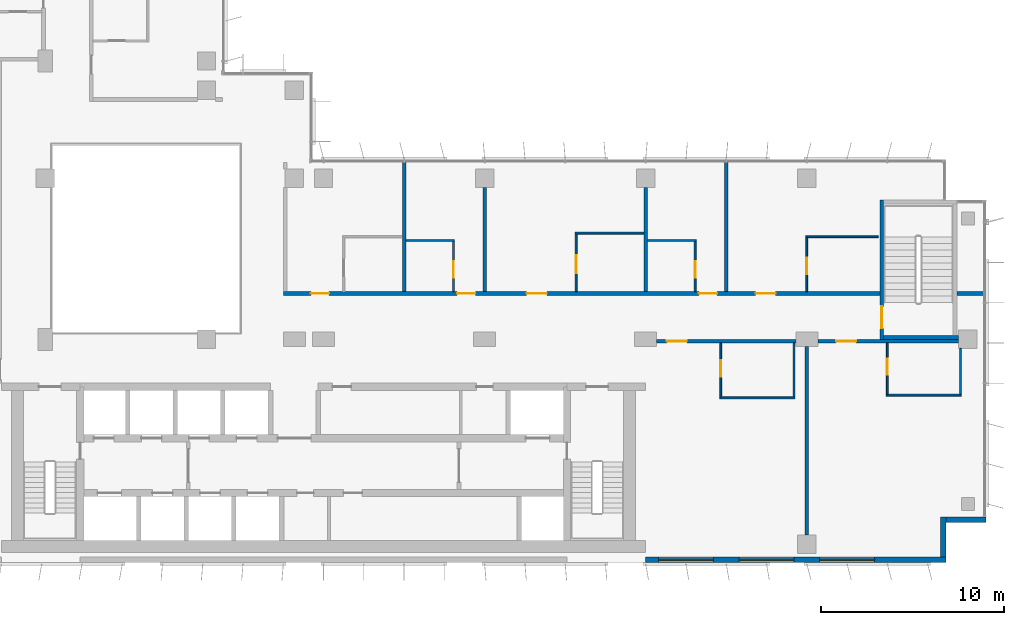
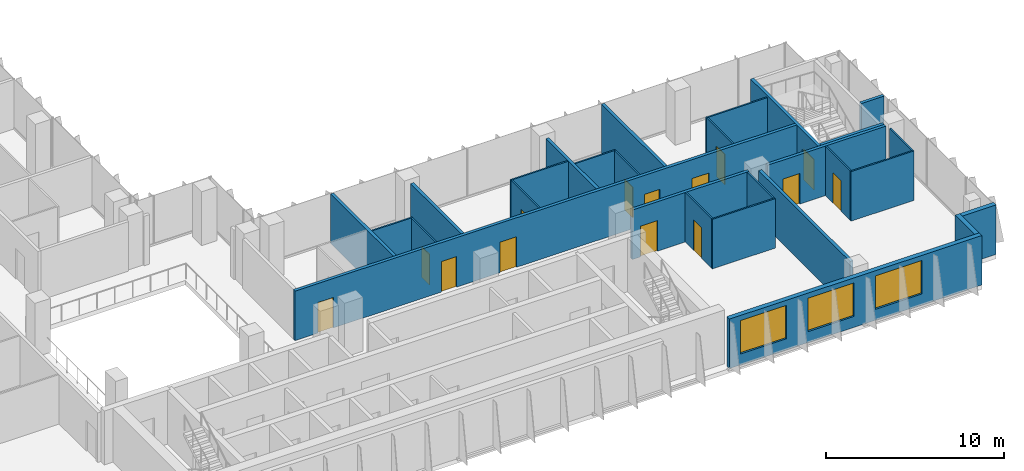
# One storey, part 14 of 20: 28 walls, 14 doors, 3 windows, 17 openings.
"""IFC4 building model written with IfcOpenShell, lengths in metres."""

from ifc_helpers import new_model, si_unit, direction, frame, frame_2d, origin, place, context, subcontext, project, spatial, rectangle, extrude, material, layer, layer_set, type_object, element, fill, save


model = new_model("IFC4")

# Units and contexts
model_context = context("Model", 3, precision=1e-05, world=origin(), true_north=direction((0.0, 1.0)))
body_context = subcontext(model_context, "Body", "Model", "MODEL_VIEW")
ifc_project = project(units=[si_unit("LENGTHUNIT", "METRE"), si_unit("AREAUNIT", "SQUARE_METRE"), si_unit("VOLUMEUNIT", "CUBIC_METRE"), si_unit("PLANEANGLEUNIT", "RADIAN"), si_unit("MASSUNIT", "GRAM", prefix="KILO")], contexts=[model_context])

# Site, building, storey
site_placement = place(None, origin())
site = spatial("IfcSite", under=ifc_project, at=site_placement, CompositionType="ELEMENT")
building_placement = place(site_placement, origin())
building = spatial("IfcBuilding", under=site, at=building_placement, Name="Kemantara Hotel Tower", CompositionType="ELEMENT")
storey_placement = place(building_placement, frame((0.0, 0.0, 186.39990234375)))
storey = spatial("IfcBuildingStorey", under=building, at=storey_placement, Name="L46", CompositionType="ELEMENT", Elevation=186.39990234375)

# Wall, openings, windows
ifc_material_1 = material(Name="Bronze anodised aluminium cladding on insulated steel stud wall", Category="steel")
ifc_layer_1 = layer(ifc_material_1, 0.300048828125)
ifc_layer_set_1 = layer_set([ifc_layer_1], Name="Bronze anodised aluminium cladding on insulated steel stud wall")
wall_type_1 = type_object("IfcWallType", Name="BRONZE METAL-CLAD EXTERNAL WALL 300", PredefinedType="STANDARD", material=ifc_layer_set_1)
wall_1_placement = place(storey_placement, frame((45.0, 0.14990234375, 0.0), z_axis=(0.0, 0.0, 1.0), x_axis=(1.0, 0.0, 0.0)))
wall_1 = element("IfcWall", 1, at=wall_1_placement, inside=storey, type_object=wall_type_1, Name="EXTERNAL WALL L46 T3-R08-3", PredefinedType="STANDARD", context=body_context, shape_type="SweptSolid", body=[
    extrude(rectangle(XDim=16.39990234375, YDim=0.300048828125, at=frame_2d((8.199951171875, 0.0))), origin(), (0.0, 0.0, 1.0), 3.400146484375),
])
opening_1_placement = place(wall_1_placement, frame((0.699951171875, 0.0, 0.75)))
opening_1 = element("IfcOpeningElement", 2, at=opening_1_placement, cuts=wall_1, Name="Opening W1", PredefinedType="OPENING", context=body_context, shape_type="SweptSolid", body=[
    extrude(rectangle(XDim=3.0, YDim=2.300048828125, at=frame_2d((1.5, 1.14990234375))), frame((0.0, 0.159912109375, 0.0), z_axis=(0.0, -1.0, 0.0), x_axis=(1.0, 0.0, 0.0)), (0.0, 0.0, 1.0), 0.320068359375),
])
opening_2_placement = place(wall_1_placement, frame((5.10009765625, 0.0, 0.75)))
opening_2 = element("IfcOpeningElement", 3, at=opening_2_placement, cuts=wall_1, Name="Opening W1", PredefinedType="OPENING", context=body_context, shape_type="SweptSolid", body=[
    extrude(rectangle(XDim=3.0, YDim=2.300048828125, at=frame_2d((1.5, 1.14990234375))), frame((0.0, 0.159912109375, 0.0), z_axis=(0.0, -1.0, 0.0), x_axis=(1.0, 0.0, 0.0)), (0.0, 0.0, 1.0), 0.320068359375),
])
opening_3_placement = place(wall_1_placement, frame((9.5, 0.0, 0.75)))
opening_3 = element("IfcOpeningElement", 4, at=opening_3_placement, cuts=wall_1, Name="Opening W1", PredefinedType="OPENING", context=body_context, shape_type="SweptSolid", body=[
    extrude(rectangle(XDim=3.0, YDim=2.300048828125, at=frame_2d((1.5, 1.14990234375))), frame((0.0, 0.159912109375, 0.0), z_axis=(0.0, -1.0, 0.0), x_axis=(1.0, 0.0, 0.0)), (0.0, 0.0, 1.0), 0.320068359375),
])
ifc_material_2 = material(Name="Low-E tinted double insulated glass in bronze anodised aluminium frame", Category="aluminium")
window_type = type_object("IfcWindowType", Name="CHICAGO WINDOW, TRIPLE PANEL 3000x2300", PartitioningType="TRIPLE_PANEL_VERTICAL", PredefinedType="WINDOW", material=ifc_material_2)
window_1_placement = place(opening_1_placement, origin())
window_1 = element("IfcWindow", 5, at=window_1_placement, inside=storey, type_object=window_type, Name="CHICAGO WINDOW L46 T3-R08-450", OverallHeight=2.300048828125, OverallWidth=3.0, PartitioningType="SINGLE_PANEL", PredefinedType="WINDOW", context=body_context, shape_type="SweptSolid", body=[
    extrude(rectangle(XDim=3.0, YDim=2.300048828125, at=frame_2d((1.5, 1.14990234375))), frame((0.0, 0.030029296875, 0.0), z_axis=(0.0, -1.0, 0.0), x_axis=(1.0, 0.0, 0.0)), (0.0, 0.0, 1.0), 0.06005859375),
])
fill(opening_1, window_1)
window_2_placement = place(opening_2_placement, origin())
window_2 = element("IfcWindow", 6, at=window_2_placement, inside=storey, type_object=window_type, Name="CHICAGO WINDOW L46 T3-R08-494", OverallHeight=2.300048828125, OverallWidth=3.0, PartitioningType="SINGLE_PANEL", PredefinedType="WINDOW", context=body_context, shape_type="SweptSolid", body=[
    extrude(rectangle(XDim=3.0, YDim=2.300048828125, at=frame_2d((1.5, 1.14990234375))), frame((0.0, 0.030029296875, 0.0), z_axis=(0.0, -1.0, 0.0), x_axis=(1.0, 0.0, 0.0)), (0.0, 0.0, 1.0), 0.06005859375),
])
fill(opening_2, window_2)
window_3_placement = place(opening_3_placement, origin())
window_3 = element("IfcWindow", 7, at=window_3_placement, inside=storey, type_object=window_type, Name="CHICAGO WINDOW L46 T3-R08-538", OverallHeight=2.300048828125, OverallWidth=3.0, PartitioningType="SINGLE_PANEL", PredefinedType="WINDOW", context=body_context, shape_type="SweptSolid", body=[
    extrude(rectangle(XDim=3.0, YDim=2.300048828125, at=frame_2d((1.5, 1.14990234375))), frame((0.0, 0.030029296875, 0.0), z_axis=(0.0, -1.0, 0.0), x_axis=(1.0, 0.0, 0.0)), (0.0, 0.0, 1.0), 0.06005859375),
])
fill(opening_3, window_3)

# Walls
wall_2_placement = place(storey_placement, frame((61.25, 0.300048828125, 0.0), z_axis=(0.0, 0.0, 1.0), x_axis=(0.0, 1.0, 0.0)))
element("IfcWall", 8, at=wall_2_placement, inside=storey, type_object=wall_type_1, Name="EXTERNAL WALL L46 T3-R09", PredefinedType="STANDARD", context=body_context, shape_type="SweptSolid", body=[
    extrude(rectangle(XDim=2.199951171875, YDim=0.300048828125, at=frame_2d((1.10009765625, 0.0))), origin(), (0.0, 0.0, 1.0), 3.400146484375),
])
wall_3_placement = place(storey_placement, frame((61.39990234375, 2.35009765625, 0.0), z_axis=(0.0, 0.0, 1.0), x_axis=(1.0, 0.0, 0.0)))
element("IfcWall", 9, at=wall_3_placement, inside=storey, type_object=wall_type_1, Name="EXTERNAL WALL L46 T3-R10", PredefinedType="STANDARD", context=body_context, shape_type="SweptSolid", body=[
    extrude(rectangle(XDim=2.2001953125, YDim=0.300048828125, at=frame_2d((1.10009765625, 0.0))), origin(), (0.0, 0.0, 1.0), 3.400146484375),
])

# Wall, opening, door
ifc_material_3 = material(Name="Gypsum board partition, steel studs and mineral wool, 200 mm", Category="steel")
ifc_layer_2 = layer(ifc_material_3, 0.199951171875)
ifc_layer_set_2 = layer_set([ifc_layer_2], Name="Gypsum board partition, steel studs and mineral wool, 200 mm")
wall_type_2 = type_object("IfcWallType", Name="CORRIDOR WALL 200", PredefinedType="PARTITIONING", material=ifc_layer_set_2)
wall_4_placement = place(storey_placement, frame((53.199951171875, 12.10009765625, 0.0), z_axis=(0.0, 0.0, 1.0), x_axis=(-1.0, 0.0, 0.0)))
wall_4 = element("IfcWall", 10, at=wall_4_placement, inside=storey, type_object=wall_type_2, Name="CORRIDOR WALL 200 001", PredefinedType="PARTITIONING", context=body_context, shape_type="SweptSolid", body=[
    extrude(rectangle(XDim=7.599853515625, YDim=0.199951171875, at=frame_2d((3.7998046875, 0.0))), origin(), (0.0, 0.0, 1.0), 3.400146484375),
])
opening_4_placement = place(wall_4_placement, frame((5.949951171875, 0.0, 0.0)))
opening_4 = element("IfcOpeningElement", 11, at=opening_4_placement, cuts=wall_4, Name="Opening F22-001", PredefinedType="OPENING", context=body_context, shape_type="SweptSolid", body=[
    extrude(rectangle(XDim=1.10009765625, YDim=2.10009765625, at=frame_2d((0.550048828125, 1.050048828125))), frame((0.0, 0.10986328125, 0.0), z_axis=(0.0, -1.0, 0.0), x_axis=(1.0, 0.0, 0.0)), (0.0, 0.0, 1.0), 0.219970703125),
])
ifc_material_4 = material(Name="Hardwood veneer door leaf with steel frame", Category="steel")
door_type_1 = type_object("IfcDoorType", Name="SUITE ENTRANCE DOOR 1100 X 2100 FD30S", OperationType="NOTDEFINED", PredefinedType="DOOR", material=ifc_material_4)
door_1_placement = place(opening_4_placement, origin())
door_1 = element("IfcDoor", 12, at=door_1_placement, inside=storey, type_object=door_type_1, Name="SUITE ENTRANCE DOOR F22-001", OperationType="SINGLE_SWING_RIGHT", OverallHeight=2.10009765625, OverallWidth=1.10009765625, PredefinedType="DOOR", context=body_context, shape_type="SweptSolid", body=[
    extrude(rectangle(XDim=1.10009765625, YDim=2.10009765625, at=frame_2d((0.550048828125, 1.050048828125))), frame((0.0, 0.02490234375, 0.0), z_axis=(0.0, -1.0, 0.0), x_axis=(1.0, 0.0, 0.0)), (0.0, 0.0, 1.0), 0.050048828125),
])
fill(opening_4, door_1)

wall_5_placement = place(storey_placement, frame((62.099853515625, 12.10009765625, 0.0), z_axis=(0.0, 0.0, 1.0), x_axis=(-1.0, 0.0, 0.0)))
wall_5 = element("IfcWall", 13, at=wall_5_placement, inside=storey, type_object=wall_type_2, Name="CORRIDOR WALL 200 002", PredefinedType="PARTITIONING", context=body_context, shape_type="SweptSolid", body=[
    extrude(rectangle(XDim=7.69970703125, YDim=0.199951171875, at=frame_2d((3.849853515625, 0.0))), origin(), (0.0, 0.0, 1.0), 3.400146484375),
])
opening_5_placement = place(wall_5_placement, frame((5.599853515625, 0.0, 0.0)))
opening_5 = element("IfcOpeningElement", 14, at=opening_5_placement, cuts=wall_5, Name="Opening F22-003", PredefinedType="OPENING", context=body_context, shape_type="SweptSolid", body=[
    extrude(rectangle(XDim=1.10009765625, YDim=2.10009765625, at=frame_2d((0.550048828125, 1.050048828125))), frame((0.0, 0.10986328125, 0.0), z_axis=(0.0, -1.0, 0.0), x_axis=(1.0, 0.0, 0.0)), (0.0, 0.0, 1.0), 0.219970703125),
])
door_2_placement = place(opening_5_placement, origin())
door_2 = element("IfcDoor", 15, at=door_2_placement, inside=storey, type_object=door_type_1, Name="SUITE ENTRANCE DOOR F22-003", OperationType="SINGLE_SWING_RIGHT", OverallHeight=2.10009765625, OverallWidth=1.10009765625, PredefinedType="DOOR", context=body_context, shape_type="SweptSolid", body=[
    extrude(rectangle(XDim=1.10009765625, YDim=2.10009765625, at=frame_2d((0.550048828125, 1.050048828125))), frame((0.0, 0.02490234375, 0.0), z_axis=(0.0, -1.0, 0.0), x_axis=(1.0, 0.0, 0.0)), (0.0, 0.0, 1.0), 0.050048828125),
])
fill(opening_5, door_2)

# Wall, openings, doors
wall_6_placement = place(storey_placement, frame((25.199951171875, 14.699951171875, 0.0), z_axis=(0.0, 0.0, 1.0), x_axis=(1.0, 0.0, 0.0)))
wall_6 = element("IfcWall", 16, at=wall_6_placement, inside=storey, type_object=wall_type_2, Name="CORRIDOR WALL 200 004", PredefinedType="PARTITIONING", context=body_context, shape_type="SweptSolid", body=[
    extrude(rectangle(XDim=32.60009765625, YDim=0.199951171875, at=frame_2d((16.300048828125, 0.0))), origin(), (0.0, 0.0, 1.0), 3.400146484375),
])
opening_6_placement = place(wall_6_placement, frame((1.5, 0.0, 0.0)))
opening_6 = element("IfcOpeningElement", 17, at=opening_6_placement, cuts=wall_6, Name="Opening F22-005", PredefinedType="OPENING", context=body_context, shape_type="SweptSolid", body=[
    extrude(rectangle(XDim=1.0, YDim=2.10009765625, at=frame_2d((0.5, 1.050048828125))), frame((0.0, 0.10986328125, 0.0), z_axis=(0.0, -1.0, 0.0), x_axis=(1.0, 0.0, 0.0)), (0.0, 0.0, 1.0), 0.219970703125),
])
opening_7_placement = place(wall_6_placement, frame((9.5, 0.0, 0.0)))
opening_7 = element("IfcOpeningElement", 18, at=opening_7_placement, cuts=wall_6, Name="Opening F22-007", PredefinedType="OPENING", context=body_context, shape_type="SweptSolid", body=[
    extrude(rectangle(XDim=1.0, YDim=2.10009765625, at=frame_2d((0.5, 1.050048828125))), frame((0.0, 0.10986328125, 0.0), z_axis=(0.0, -1.0, 0.0), x_axis=(1.0, 0.0, 0.0)), (0.0, 0.0, 1.0), 0.219970703125),
])
opening_8_placement = place(wall_6_placement, frame((13.300048828125, 0.0, 0.0)))
opening_8 = element("IfcOpeningElement", 19, at=opening_8_placement, cuts=wall_6, Name="Opening F22-009", PredefinedType="OPENING", context=body_context, shape_type="SweptSolid", body=[
    extrude(rectangle(XDim=1.10009765625, YDim=2.10009765625, at=frame_2d((0.550048828125, 1.050048828125))), frame((0.0, 0.10986328125, 0.0), z_axis=(0.0, -1.0, 0.0), x_axis=(1.0, 0.0, 0.0)), (0.0, 0.0, 1.0), 0.219970703125),
])
opening_9_placement = place(wall_6_placement, frame((22.699951171875, 0.0, 0.0)))
opening_9 = element("IfcOpeningElement", 20, at=opening_9_placement, cuts=wall_6, Name="Opening F22-011", PredefinedType="OPENING", context=body_context, shape_type="SweptSolid", body=[
    extrude(rectangle(XDim=1.0, YDim=2.10009765625, at=frame_2d((0.5, 1.050048828125))), frame((0.0, 0.10986328125, 0.0), z_axis=(0.0, -1.0, 0.0), x_axis=(1.0, 0.0, 0.0)), (0.0, 0.0, 1.0), 0.219970703125),
])
opening_10_placement = place(wall_6_placement, frame((25.800048828125, 0.0, 0.0)))
opening_10 = element("IfcOpeningElement", 21, at=opening_10_placement, cuts=wall_6, Name="Opening F22-013", PredefinedType="OPENING", context=body_context, shape_type="SweptSolid", body=[
    extrude(rectangle(XDim=1.10009765625, YDim=2.10009765625, at=frame_2d((0.550048828125, 1.050048828125))), frame((0.0, 0.10986328125, 0.0), z_axis=(0.0, -1.0, 0.0), x_axis=(1.0, 0.0, 0.0)), (0.0, 0.0, 1.0), 0.219970703125),
])
door_type_2 = type_object("IfcDoorType", Name="GUEST ROOM DOOR 1000 X 2100 FD30S", OperationType="NOTDEFINED", PredefinedType="DOOR", material=ifc_material_4)
door_3_placement = place(opening_6_placement, origin())
door_3 = element("IfcDoor", 22, at=door_3_placement, inside=storey, type_object=door_type_2, Name="GUEST ROOM DOOR F22-005", OperationType="SINGLE_SWING_LEFT", OverallHeight=2.10009765625, OverallWidth=1.0, PredefinedType="DOOR", context=body_context, shape_type="SweptSolid", body=[
    extrude(rectangle(XDim=1.0, YDim=2.10009765625, at=frame_2d((0.5, 1.050048828125))), frame((0.0, 0.02490234375, 0.0), z_axis=(0.0, -1.0, 0.0), x_axis=(1.0, 0.0, 0.0)), (0.0, 0.0, 1.0), 0.050048828125),
])
fill(opening_6, door_3)
door_4_placement = place(opening_7_placement, origin())
door_4 = element("IfcDoor", 23, at=door_4_placement, inside=storey, type_object=door_type_2, Name="GUEST ROOM DOOR F22-007", OperationType="SINGLE_SWING_RIGHT", OverallHeight=2.10009765625, OverallWidth=1.0, PredefinedType="DOOR", context=body_context, shape_type="SweptSolid", body=[
    extrude(rectangle(XDim=1.0, YDim=2.10009765625, at=frame_2d((0.5, 1.050048828125))), frame((0.0, 0.02490234375, 0.0), z_axis=(0.0, -1.0, 0.0), x_axis=(1.0, 0.0, 0.0)), (0.0, 0.0, 1.0), 0.050048828125),
])
fill(opening_7, door_4)
door_5_placement = place(opening_9_placement, origin())
door_5 = element("IfcDoor", 24, at=door_5_placement, inside=storey, type_object=door_type_2, Name="GUEST ROOM DOOR F22-011", OperationType="SINGLE_SWING_RIGHT", OverallHeight=2.10009765625, OverallWidth=1.0, PredefinedType="DOOR", context=body_context, shape_type="SweptSolid", body=[
    extrude(rectangle(XDim=1.0, YDim=2.10009765625, at=frame_2d((0.5, 1.050048828125))), frame((0.0, 0.02490234375, 0.0), z_axis=(0.0, -1.0, 0.0), x_axis=(1.0, 0.0, 0.0)), (0.0, 0.0, 1.0), 0.050048828125),
])
fill(opening_9, door_5)
door_type_3 = type_object("IfcDoorType", Name="GUEST ROOM DOOR 1100 X 2100 FD30S", OperationType="NOTDEFINED", PredefinedType="DOOR", material=ifc_material_4)
door_6_placement = place(opening_8_placement, origin())
door_6 = element("IfcDoor", 25, at=door_6_placement, inside=storey, type_object=door_type_3, Name="GUEST ROOM DOOR F22-009", OperationType="SINGLE_SWING_LEFT", OverallHeight=2.10009765625, OverallWidth=1.10009765625, PredefinedType="DOOR", context=body_context, shape_type="SweptSolid", body=[
    extrude(rectangle(XDim=1.10009765625, YDim=2.10009765625, at=frame_2d((0.550048828125, 1.050048828125))), frame((0.0, 0.02490234375, 0.0), z_axis=(0.0, -1.0, 0.0), x_axis=(1.0, 0.0, 0.0)), (0.0, 0.0, 1.0), 0.050048828125),
])
fill(opening_8, door_6)
door_7_placement = place(opening_10_placement, origin())
door_7 = element("IfcDoor", 26, at=door_7_placement, inside=storey, type_object=door_type_1, Name="SUITE ENTRANCE DOOR F22-013", OperationType="SINGLE_SWING_LEFT", OverallHeight=2.10009765625, OverallWidth=1.10009765625, PredefinedType="DOOR", context=body_context, shape_type="SweptSolid", body=[
    extrude(rectangle(XDim=1.10009765625, YDim=2.10009765625, at=frame_2d((0.550048828125, 1.050048828125))), frame((0.0, 0.02490234375, 0.0), z_axis=(0.0, -1.0, 0.0), x_axis=(1.0, 0.0, 0.0)), (0.0, 0.0, 1.0), 0.050048828125),
])
fill(opening_10, door_7)

# Wall
wall_7_placement = place(storey_placement, frame((62.0, 14.699951171875, 0.0), z_axis=(0.0, 0.0, 1.0), x_axis=(1.0, 0.0, 0.0)))
element("IfcWall", 27, at=wall_7_placement, inside=storey, type_object=wall_type_2, Name="CORRIDOR WALL 200 005", PredefinedType="PARTITIONING", context=body_context, shape_type="SweptSolid", body=[
    extrude(rectangle(XDim=1.47998046875, YDim=0.199951171875, at=frame_2d((0.739990234375, 0.0))), origin(), (0.0, 0.0, 1.0), 3.400146484375),
])

# Wall, opening, door
ifc_material_5 = material(Name="Concrete fc 40 MPa", Category="concrete")
ifc_layer_3 = layer(ifc_material_5, 0.199951171875)
ifc_layer_set_3 = layer_set([ifc_layer_3], Name="Concrete fc 40 MPa")
wall_type_3 = type_object("IfcWallType", Name="Concrete stair wall 200 mm", PredefinedType="SHEAR", material=ifc_layer_set_3)
wall_8_placement = place(storey_placement, frame((57.89990234375, 12.199951171875, 0.0), z_axis=(0.0, 0.0, 1.0), x_axis=(0.0, 1.0, 0.0)))
wall_8 = element("IfcWall", 28, at=wall_8_placement, inside=storey, type_object=wall_type_3, Name="Stair ST3 enclosure wall with door", PredefinedType="SHEAR", context=body_context, shape_type="SweptSolid", body=[
    extrude(rectangle(XDim=7.60009765625, YDim=0.199951171875, at=frame_2d((3.800048828125, 0.0))), origin(), (0.0, 0.0, 1.0), 3.400146484375),
])
opening_11_placement = place(wall_8_placement, frame((0.60009765625, 0.0, 0.0)))
opening_11 = element("IfcOpeningElement", 29, at=opening_11_placement, cuts=wall_8, Name="Opening ST3-C", PredefinedType="OPENING", context=body_context, shape_type="SweptSolid", body=[
    extrude(rectangle(XDim=1.199951171875, YDim=2.10009765625, at=frame_2d((0.60009765625, 1.050048828125))), frame((0.0, 0.10986328125, 0.0), z_axis=(0.0, -1.0, 0.0), x_axis=(1.0, 0.0, 0.0)), (0.0, 0.0, 1.0), 0.219970703125),
])
ifc_material_6 = material(Name="Steel fire door", Category="steel")
door_type_4 = type_object("IfcDoorType", Name="Fire door FD90 1200 x 2100", OperationType="NOTDEFINED", PredefinedType="DOOR", material=ifc_material_6)
door_8_placement = place(opening_11_placement, frame((1.199951171875, 0.0, 0.0), z_axis=(0.0, 0.0, 1.0), x_axis=(-1.0, 0.0, 0.0)))
door_8 = element("IfcDoor", 30, at=door_8_placement, inside=storey, type_object=door_type_4, Name="Stair ST3 door", OperationType="SINGLE_SWING_RIGHT", OverallHeight=2.10009765625, OverallWidth=1.199951171875, PredefinedType="DOOR", context=body_context, shape_type="SweptSolid", body=[
    extrude(rectangle(XDim=1.199951171875, YDim=2.10009765625, at=frame_2d((0.60009765625, 1.050048828125))), frame((0.0, 0.02490234375, 0.0), z_axis=(0.0, -1.0, 0.0), x_axis=(1.0, 0.0, 0.0)), (0.0, 0.0, 1.0), 0.050048828125),
])
fill(opening_11, door_8)

# Walls
wall_9_placement = place(storey_placement, frame((58.0, 12.300048828125, 0.0), z_axis=(0.0, 0.0, 1.0), x_axis=(1.0, 0.0, 0.0)))
element("IfcWall", 31, at=wall_9_placement, inside=storey, type_object=wall_type_3, Name="Stair ST3 enclosure wall S", PredefinedType="SHEAR", context=body_context, shape_type="SweptSolid", body=[
    extrude(rectangle(XDim=4.10009765625, YDim=0.199951171875, at=frame_2d((2.050048828125, 0.0))), origin(), (0.0, 0.0, 1.0), 3.400146484375),
])
ifc_layer_4 = layer(ifc_material_3, 0.199951171875)
ifc_layer_set_4 = layer_set([ifc_layer_4], Name="Gypsum board partition, steel studs and mineral wool, 200 mm")
wall_type_4 = type_object("IfcWallType", Name="GUEST ROOM PARTY WALL 200", PredefinedType="PARTITIONING", material=ifc_layer_set_4)
wall_10_placement = place(storey_placement, frame((53.800048828125, 1.5, 0.0), z_axis=(0.0, 0.0, 1.0), x_axis=(0.0, 1.0, 0.0)))
element("IfcWall", 32, at=wall_10_placement, inside=storey, type_object=wall_type_4, Name="GUEST ROOM PARTY WALL 200 003", PredefinedType="PARTITIONING", context=body_context, shape_type="SweptSolid", body=[
    extrude(rectangle(XDim=10.2998046875, YDim=0.199951171875, at=frame_2d((5.14990234375, 0.0))), origin(), (0.0, 0.0, 1.0), 3.400146484375),
])
wall_11_placement = place(storey_placement, frame((31.800048828125, 14.800048828125, 0.0), z_axis=(0.0, 0.0, 1.0), x_axis=(0.0, 1.0, 0.0)))
element("IfcWall", 33, at=wall_11_placement, inside=storey, type_object=wall_type_4, Name="GUEST ROOM PARTY WALL 200 008", PredefinedType="PARTITIONING", context=body_context, shape_type="SweptSolid", body=[
    extrude(rectangle(XDim=7.070068359375, YDim=0.199951171875, at=frame_2d((3.53515625, 0.0))), origin(), (0.0, 0.0, 1.0), 3.400146484375),
])
for number, where, z_axis, x_axis, name in (
    (34, (36.199951171875, 14.800048828125, 0.0), (0.0, 0.0, 1.0), (0.0, 1.0, 0.0), "GUEST ROOM PARTY WALL 200 009"),
    (35, (45.0, 14.800048828125, 0.0), (0.0, 0.0, 1.0), (0.0, 1.0, 0.0), "GUEST ROOM PARTY WALL 200 010"),
):
    element("IfcWall", number, at=place(storey_placement, frame(where, z_axis=z_axis, x_axis=x_axis)), inside=storey, type_object=wall_type_4, Name=name, PredefinedType="PARTITIONING", context=body_context, shape_type="SweptSolid", body=[
        extrude(rectangle(XDim=5.699951171875, YDim=0.199951171875, at=frame_2d((2.85009765625, 0.0))), origin(), (0.0, 0.0, 1.0), 3.400146484375),
    ])
wall_12_placement = place(storey_placement, frame((49.39990234375, 14.800048828125, 0.0), z_axis=(0.0, 0.0, 1.0), x_axis=(0.0, 1.0, 0.0)))
element("IfcWall", 36, at=wall_12_placement, inside=storey, type_object=wall_type_4, Name="GUEST ROOM PARTY WALL 200 011", PredefinedType="PARTITIONING", context=body_context, shape_type="SweptSolid", body=[
    extrude(rectangle(XDim=7.070068359375, YDim=0.199951171875, at=frame_2d((3.53515625, 0.0))), origin(), (0.0, 0.0, 1.0), 3.400146484375),
])
ifc_material_7 = material(Name="Gypsum board partition on steel studs, 100 mm", Category="steel")
ifc_layer_5 = layer(ifc_material_7, 0.10009765625)
ifc_layer_set_5 = layer_set([ifc_layer_5], Name="Gypsum board partition on steel studs, 100 mm")
wall_type_5 = type_object("IfcWallType", Name="ROOM PARTITION 100", PredefinedType="PARTITIONING", material=ifc_layer_set_5)
wall_13_placement = place(storey_placement, frame((49.050048828125, 9.0, 0.0), z_axis=(0.0, 0.0, 1.0), x_axis=(1.0, 0.0, 0.0)))
element("IfcWall", 37, at=wall_13_placement, inside=storey, type_object=wall_type_5, Name="ROOM PARTITION 100 029", PredefinedType="PARTITIONING", context=body_context, shape_type="SweptSolid", body=[
    extrude(rectangle(XDim=4.099853515625, YDim=0.10009765625, at=frame_2d((2.0498046875, 0.0))), origin(), (0.0, 0.0, 1.0), 3.400146484375),
])

# Wall, opening, door
wall_14_placement = place(storey_placement, frame((49.10009765625, 12.0, 0.0), z_axis=(0.0, 0.0, 1.0), x_axis=(0.0, -1.0, 0.0)))
wall_14 = element("IfcWall", 38, at=wall_14_placement, inside=storey, type_object=wall_type_5, Name="ROOM PARTITION 100 030", PredefinedType="PARTITIONING", context=body_context, shape_type="SweptSolid", body=[
    extrude(rectangle(XDim=2.949951171875, YDim=0.10009765625, at=frame_2d((1.47509765625, 0.0))), origin(), (0.0, 0.0, 1.0), 3.400146484375),
])
opening_12_placement = place(wall_14_placement, frame((0.949951171875, 0.0, 0.0)))
opening_12 = element("IfcOpeningElement", 39, at=opening_12_placement, cuts=wall_14, Name="Opening F22-002", PredefinedType="OPENING", context=body_context, shape_type="SweptSolid", body=[
    extrude(rectangle(XDim=0.89990234375, YDim=2.10009765625, at=frame_2d((0.449951171875, 1.050048828125))), frame((0.0, 0.06005859375, 0.0), z_axis=(0.0, -1.0, 0.0), x_axis=(1.0, 0.0, 0.0)), (0.0, 0.0, 1.0), 0.1201171875),
])
door_type_5 = type_object("IfcDoorType", Name="BATHROOM DOOR 900 X 2100", OperationType="NOTDEFINED", PredefinedType="DOOR", material=ifc_material_4)
door_9_placement = place(opening_12_placement, origin())
door_9 = element("IfcDoor", 40, at=door_9_placement, inside=storey, type_object=door_type_5, Name="BATHROOM DOOR F22-002", OperationType="SINGLE_SWING_LEFT", OverallHeight=2.10009765625, OverallWidth=0.89990234375, PredefinedType="DOOR", context=body_context, shape_type="SweptSolid", body=[
    extrude(rectangle(XDim=0.89990234375, YDim=2.10009765625, at=frame_2d((0.449951171875, 1.050048828125))), frame((0.0, 0.02490234375, 0.0), z_axis=(0.0, -1.0, 0.0), x_axis=(1.0, 0.0, 0.0)), (0.0, 0.0, 1.0), 0.050048828125),
])
fill(opening_12, door_9)

# Walls
wall_15_placement = place(storey_placement, frame((53.10009765625, 9.050048828125, 0.0), z_axis=(0.0, 0.0, 1.0), x_axis=(0.0, 1.0, 0.0)))
element("IfcWall", 41, at=wall_15_placement, inside=storey, type_object=wall_type_5, Name="ROOM PARTITION 100 031", PredefinedType="PARTITIONING", context=body_context, shape_type="SweptSolid", body=[
    extrude(rectangle(XDim=2.949951171875, YDim=0.10009765625, at=frame_2d((1.47509765625, 0.0))), origin(), (0.0, 0.0, 1.0), 3.400146484375),
])
wall_16_placement = place(storey_placement, frame((58.14990234375, 9.14990234375, 0.0), z_axis=(0.0, 0.0, 1.0), x_axis=(1.0, 0.0, 0.0)))
element("IfcWall", 42, at=wall_16_placement, inside=storey, type_object=wall_type_5, Name="ROOM PARTITION 100 032", PredefinedType="PARTITIONING", context=body_context, shape_type="SweptSolid", body=[
    extrude(rectangle(XDim=4.10009765625, YDim=0.10009765625, at=frame_2d((2.050048828125, 0.0))), origin(), (0.0, 0.0, 1.0), 3.400146484375),
])

# Wall, opening, door
wall_17_placement = place(storey_placement, frame((58.199951171875, 12.0, 0.0), z_axis=(0.0, 0.0, 1.0), x_axis=(0.0, -1.0, 0.0)))
wall_17 = element("IfcWall", 43, at=wall_17_placement, inside=storey, type_object=wall_type_5, Name="ROOM PARTITION 100 033", PredefinedType="PARTITIONING", context=body_context, shape_type="SweptSolid", body=[
    extrude(rectangle(XDim=2.800048828125, YDim=0.10009765625, at=frame_2d((1.39990234375, 0.0))), origin(), (0.0, 0.0, 1.0), 3.400146484375),
])
opening_13_placement = place(wall_17_placement, frame((0.85009765625, 0.0, 0.0)))
opening_13 = element("IfcOpeningElement", 44, at=opening_13_placement, cuts=wall_17, Name="Opening F22-004", PredefinedType="OPENING", context=body_context, shape_type="SweptSolid", body=[
    extrude(rectangle(XDim=0.89990234375, YDim=2.10009765625, at=frame_2d((0.449951171875, 1.050048828125))), frame((0.0, 0.06005859375, 0.0), z_axis=(0.0, -1.0, 0.0), x_axis=(1.0, 0.0, 0.0)), (0.0, 0.0, 1.0), 0.1201171875),
])
door_10_placement = place(opening_13_placement, origin())
door_10 = element("IfcDoor", 45, at=door_10_placement, inside=storey, type_object=door_type_5, Name="BATHROOM DOOR F22-004", OperationType="SINGLE_SWING_LEFT", OverallHeight=2.10009765625, OverallWidth=0.89990234375, PredefinedType="DOOR", context=body_context, shape_type="SweptSolid", body=[
    extrude(rectangle(XDim=0.89990234375, YDim=2.10009765625, at=frame_2d((0.449951171875, 1.050048828125))), frame((0.0, 0.02490234375, 0.0), z_axis=(0.0, -1.0, 0.0), x_axis=(1.0, 0.0, 0.0)), (0.0, 0.0, 1.0), 0.050048828125),
])
fill(opening_13, door_10)

# Walls
wall_18_placement = place(storey_placement, frame((62.199951171875, 9.199951171875, 0.0), z_axis=(0.0, 0.0, 1.0), x_axis=(0.0, 1.0, 0.0)))
element("IfcWall", 46, at=wall_18_placement, inside=storey, type_object=wall_type_5, Name="ROOM PARTITION 100 034", PredefinedType="PARTITIONING", context=body_context, shape_type="SweptSolid", body=[
    extrude(rectangle(XDim=2.5, YDim=0.10009765625, at=frame_2d((1.25, 0.0))), origin(), (0.0, 0.0, 1.0), 3.400146484375),
])
wall_19_placement = place(storey_placement, frame((53.75, 17.800048828125, 0.0), z_axis=(0.0, 0.0, 1.0), x_axis=(1.0, 0.0, 0.0)))
element("IfcWall", 47, at=wall_19_placement, inside=storey, type_object=wall_type_5, Name="ROOM PARTITION 100 036", PredefinedType="PARTITIONING", context=body_context, shape_type="SweptSolid", body=[
    extrude(rectangle(XDim=3.949951171875, YDim=0.10009765625, at=frame_2d((1.97509765625, 0.0))), origin(), (0.0, 0.0, 1.0), 3.400146484375),
])
wall_20_placement = place(storey_placement, frame((31.89990234375, 17.60009765625, 0.0), z_axis=(0.0, 0.0, 1.0), x_axis=(1.0, 0.0, 0.0)))
element("IfcWall", 48, at=wall_20_placement, inside=storey, type_object=wall_type_5, Name="ROOM PARTITION 100 038", PredefinedType="PARTITIONING", context=body_context, shape_type="SweptSolid", body=[
    extrude(rectangle(XDim=2.650146484375, YDim=0.10009765625, at=frame_2d((1.3251953125, 0.0))), origin(), (0.0, 0.0, 1.0), 3.400146484375),
])
wall_21_placement = place(storey_placement, frame((45.10009765625, 17.60009765625, 0.0), z_axis=(0.0, 0.0, 1.0), x_axis=(1.0, 0.0, 0.0)))
element("IfcWall", 49, at=wall_21_placement, inside=storey, type_object=wall_type_5, Name="ROOM PARTITION 100 039", PredefinedType="PARTITIONING", context=body_context, shape_type="SweptSolid", body=[
    extrude(rectangle(XDim=2.64990234375, YDim=0.10009765625, at=frame_2d((1.324951171875, 0.0))), origin(), (0.0, 0.0, 1.0), 3.400146484375),
])

# Wall, opening, door
wall_22_placement = place(storey_placement, frame((34.5, 14.800048828125, 0.0), z_axis=(0.0, 0.0, 1.0), x_axis=(0.0, 1.0, 0.0)))
wall_22 = element("IfcWall", 50, at=wall_22_placement, inside=storey, type_object=wall_type_5, Name="ROOM PARTITION 100 040", PredefinedType="PARTITIONING", context=body_context, shape_type="SweptSolid", body=[
    extrude(rectangle(XDim=2.75, YDim=0.10009765625, at=frame_2d((1.375, 0.0))), origin(), (0.0, 0.0, 1.0), 3.400146484375),
])
opening_14_placement = place(wall_22_placement, frame((0.75, 0.0, 0.0)))
opening_14 = element("IfcOpeningElement", 51, at=opening_14_placement, cuts=wall_22, Name="Opening F22-008", PredefinedType="OPENING", context=body_context, shape_type="SweptSolid", body=[
    extrude(rectangle(XDim=0.89990234375, YDim=2.10009765625, at=frame_2d((0.449951171875, 1.050048828125))), frame((0.0, 0.06005859375, 0.0), z_axis=(0.0, -1.0, 0.0), x_axis=(1.0, 0.0, 0.0)), (0.0, 0.0, 1.0), 0.1201171875),
])
door_11_placement = place(opening_14_placement, origin())
door_11 = element("IfcDoor", 52, at=door_11_placement, inside=storey, type_object=door_type_5, Name="BATHROOM DOOR F22-008", OperationType="SINGLE_SWING_LEFT", OverallHeight=2.10009765625, OverallWidth=0.89990234375, PredefinedType="DOOR", context=body_context, shape_type="SweptSolid", body=[
    extrude(rectangle(XDim=0.89990234375, YDim=2.10009765625, at=frame_2d((0.449951171875, 1.050048828125))), frame((0.0, 0.02490234375, 0.0), z_axis=(0.0, -1.0, 0.0), x_axis=(1.0, 0.0, 0.0)), (0.0, 0.0, 1.0), 0.050048828125),
])
fill(opening_14, door_11)

# Wall
wall_23_placement = place(storey_placement, frame((41.14990234375, 18.0, 0.0), z_axis=(0.0, 0.0, 1.0), x_axis=(1.0, 0.0, 0.0)))
element("IfcWall", 53, at=wall_23_placement, inside=storey, type_object=wall_type_5, Name="ROOM PARTITION 100 041", PredefinedType="PARTITIONING", context=body_context, shape_type="SweptSolid", body=[
    extrude(rectangle(XDim=3.75, YDim=0.10009765625, at=frame_2d((1.875, 0.0))), origin(), (0.0, 0.0, 1.0), 3.400146484375),
])

# Wall, opening, door
wall_24_placement = place(storey_placement, frame((41.199951171875, 17.949951171875, 0.0), z_axis=(0.0, 0.0, 1.0), x_axis=(0.0, -1.0, 0.0)))
wall_24 = element("IfcWall", 54, at=wall_24_placement, inside=storey, type_object=wall_type_5, Name="ROOM PARTITION 100 042", PredefinedType="PARTITIONING", context=body_context, shape_type="SweptSolid", body=[
    extrude(rectangle(XDim=3.14990234375, YDim=0.10009765625, at=frame_2d((1.574951171875, 0.0))), origin(), (0.0, 0.0, 1.0), 3.400146484375),
])
opening_15_placement = place(wall_24_placement, frame((1.14990234375, 0.0, 0.0)))
opening_15 = element("IfcOpeningElement", 55, at=opening_15_placement, cuts=wall_24, Name="Opening F22-010", PredefinedType="OPENING", context=body_context, shape_type="SweptSolid", body=[
    extrude(rectangle(XDim=1.0, YDim=2.10009765625, at=frame_2d((0.5, 1.050048828125))), frame((0.0, 0.06005859375, 0.0), z_axis=(0.0, -1.0, 0.0), x_axis=(1.0, 0.0, 0.0)), (0.0, 0.0, 1.0), 0.1201171875),
])
door_type_6 = type_object("IfcDoorType", Name="BATHROOM DOOR 1000 X 2100", OperationType="NOTDEFINED", PredefinedType="DOOR", material=ifc_material_4)
door_12_placement = place(opening_15_placement, origin())
door_12 = element("IfcDoor", 56, at=door_12_placement, inside=storey, type_object=door_type_6, Name="BATHROOM DOOR F22-010", OperationType="SINGLE_SWING_RIGHT", OverallHeight=2.10009765625, OverallWidth=1.0, PredefinedType="DOOR", context=body_context, shape_type="SweptSolid", body=[
    extrude(rectangle(XDim=1.0, YDim=2.10009765625, at=frame_2d((0.5, 1.050048828125))), frame((0.0, 0.02490234375, 0.0), z_axis=(0.0, -1.0, 0.0), x_axis=(1.0, 0.0, 0.0)), (0.0, 0.0, 1.0), 0.050048828125),
])
fill(opening_15, door_12)

wall_25_placement = place(storey_placement, frame((47.699951171875, 14.800048828125, 0.0), z_axis=(0.0, 0.0, 1.0), x_axis=(0.0, 1.0, 0.0)))
wall_25 = element("IfcWall", 57, at=wall_25_placement, inside=storey, type_object=wall_type_5, Name="ROOM PARTITION 100 043", PredefinedType="PARTITIONING", context=body_context, shape_type="SweptSolid", body=[
    extrude(rectangle(XDim=2.75, YDim=0.10009765625, at=frame_2d((1.375, 0.0))), origin(), (0.0, 0.0, 1.0), 3.400146484375),
])
opening_16_placement = place(wall_25_placement, frame((0.75, 0.0, 0.0)))
opening_16 = element("IfcOpeningElement", 58, at=opening_16_placement, cuts=wall_25, Name="Opening F22-012", PredefinedType="OPENING", context=body_context, shape_type="SweptSolid", body=[
    extrude(rectangle(XDim=0.89990234375, YDim=2.10009765625, at=frame_2d((0.449951171875, 1.050048828125))), frame((0.0, 0.06005859375, 0.0), z_axis=(0.0, -1.0, 0.0), x_axis=(1.0, 0.0, 0.0)), (0.0, 0.0, 1.0), 0.1201171875),
])
door_13_placement = place(opening_16_placement, origin())
door_13 = element("IfcDoor", 59, at=door_13_placement, inside=storey, type_object=door_type_5, Name="BATHROOM DOOR F22-012", OperationType="SINGLE_SWING_LEFT", OverallHeight=2.10009765625, OverallWidth=0.89990234375, PredefinedType="DOOR", context=body_context, shape_type="SweptSolid", body=[
    extrude(rectangle(XDim=0.89990234375, YDim=2.10009765625, at=frame_2d((0.449951171875, 1.050048828125))), frame((0.0, 0.02490234375, 0.0), z_axis=(0.0, -1.0, 0.0), x_axis=(1.0, 0.0, 0.0)), (0.0, 0.0, 1.0), 0.050048828125),
])
fill(opening_16, door_13)

wall_26_placement = place(storey_placement, frame((53.800048828125, 17.75, 0.0), z_axis=(0.0, 0.0, 1.0), x_axis=(0.0, -1.0, 0.0)))
wall_26 = element("IfcWall", 60, at=wall_26_placement, inside=storey, type_object=wall_type_5, Name="ROOM PARTITION 100 044", PredefinedType="PARTITIONING", context=body_context, shape_type="SweptSolid", body=[
    extrude(rectangle(XDim=2.949951171875, YDim=0.10009765625, at=frame_2d((1.47509765625, 0.0))), origin(), (0.0, 0.0, 1.0), 3.400146484375),
])
opening_17_placement = place(wall_26_placement, frame((1.10009765625, 0.0, 0.0)))
opening_17 = element("IfcOpeningElement", 61, at=opening_17_placement, cuts=wall_26, Name="Opening F22-014", PredefinedType="OPENING", context=body_context, shape_type="SweptSolid", body=[
    extrude(rectangle(XDim=0.89990234375, YDim=2.10009765625, at=frame_2d((0.449951171875, 1.050048828125))), frame((0.0, 0.06005859375, 0.0), z_axis=(0.0, -1.0, 0.0), x_axis=(1.0, 0.0, 0.0)), (0.0, 0.0, 1.0), 0.1201171875),
])
door_14_placement = place(opening_17_placement, origin())
door_14 = element("IfcDoor", 62, at=door_14_placement, inside=storey, type_object=door_type_5, Name="BATHROOM DOOR F22-014", OperationType="SINGLE_SWING_RIGHT", OverallHeight=2.10009765625, OverallWidth=0.89990234375, PredefinedType="DOOR", context=body_context, shape_type="SweptSolid", body=[
    extrude(rectangle(XDim=0.89990234375, YDim=2.10009765625, at=frame_2d((0.449951171875, 1.050048828125))), frame((0.0, 0.02490234375, 0.0), z_axis=(0.0, -1.0, 0.0), x_axis=(1.0, 0.0, 0.0)), (0.0, 0.0, 1.0), 0.050048828125),
])
fill(opening_17, door_14)

save(model, "model.ifc")
